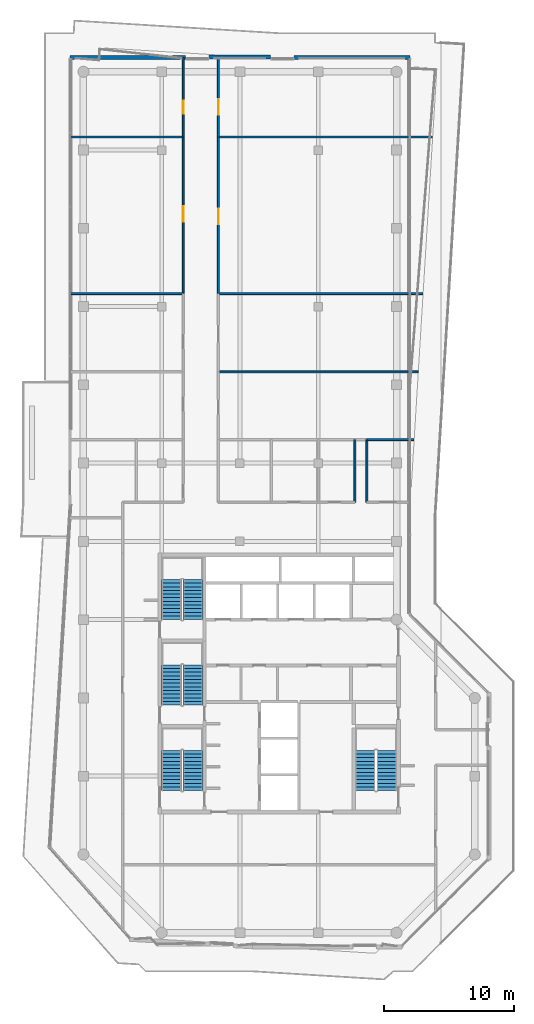
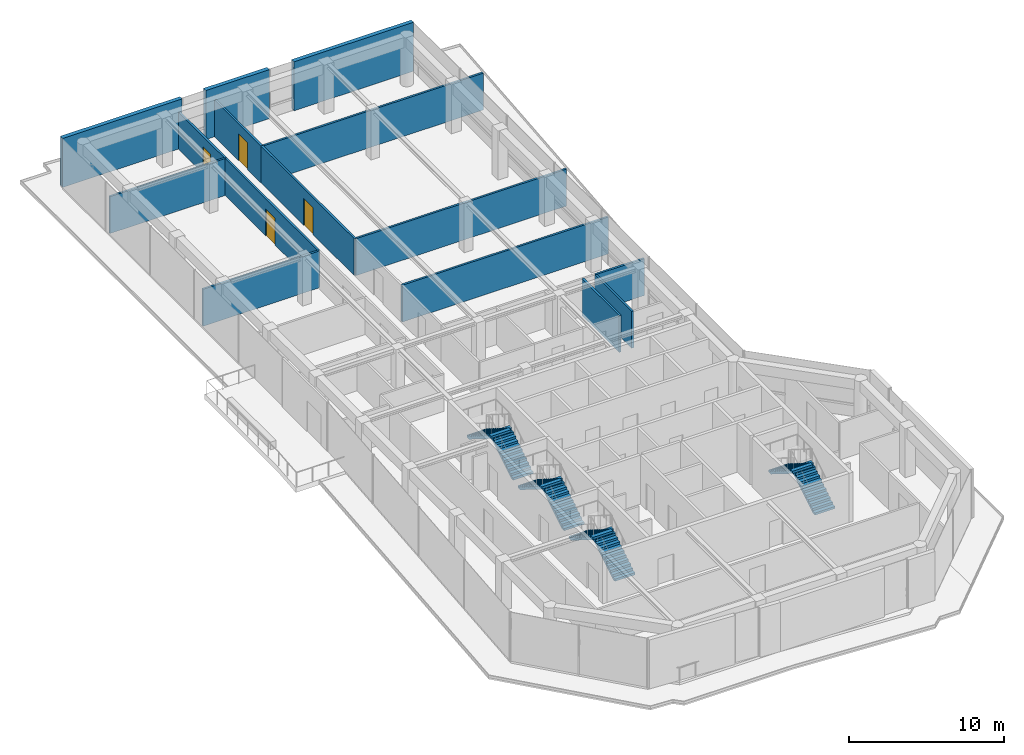
# One storey, part 16 of 18: 15 walls, 8 stair flights, 4 doors, 4 openings, 4 elements without a shape of their own.
"""IFC4 building model written with IfcOpenShell, lengths in metres."""

from ifc_helpers import new_model, si_unit, direction, frame, frame_2d, origin, place, context, subcontext, project, spatial, polyline, rectangle, outline, extrude, material, layer, layer_set, type_object, element, fill, aggregate, save


model = new_model("IFC4")

# Units and contexts
model_context = context("Model", 3, precision=1e-05, world=origin(), true_north=direction((0.0, 1.0)))
body_context = subcontext(model_context, "Body", "Model", "MODEL_VIEW")
ifc_project = project(units=[si_unit("LENGTHUNIT", "METRE"), si_unit("AREAUNIT", "SQUARE_METRE"), si_unit("VOLUMEUNIT", "CUBIC_METRE"), si_unit("PLANEANGLEUNIT", "RADIAN"), si_unit("MASSUNIT", "GRAM", prefix="KILO")], contexts=[model_context])

# Site, building, storey
site_placement = place(None, origin())
site = spatial("IfcSite", under=ifc_project, at=site_placement, CompositionType="ELEMENT")
building_placement = place(site_placement, origin())
building = spatial("IfcBuilding", under=site, at=building_placement, Name="Welwitschia Terrace Campus", CompositionType="ELEMENT")
storey_placement = place(building_placement, frame((0.0, 0.0, 272.60009765625)))
storey = spatial("IfcBuildingStorey", under=building, at=storey_placement, Name="L60", CompositionType="ELEMENT", Elevation=272.60009765625)

# Walls
ifc_material_1 = material(Name="Gypsum board on steel studs", Category="steel")
ifc_layer_1 = layer(ifc_material_1, 0.14990234375)
ifc_layer_set_1 = layer_set([ifc_layer_1], Name="Gypsum board on steel studs")
wall_type_1 = type_object("IfcWallType", Name="Corridor partition 150 EI 30", PredefinedType="PARTITIONING", material=ifc_layer_set_1)
for number, where, z_axis, x_axis, name in (
    (1, (-0.97998046875, 45.0, 0.0), (0.0, 0.0, 1.0), (1.0, 0.0, 0.0), "Partition"),
    (2, (-0.97998046875, 57.0, 0.0), (0.0, 0.0, 1.0), (1.0, 0.0, 0.0), "Partition"),
):
    element("IfcWall", number, at=place(storey_placement, frame(where, z_axis=z_axis, x_axis=x_axis)), inside=storey, type_object=wall_type_1, Name=name, PredefinedType="PARTITIONING", context=body_context, shape_type="SweptSolid", body=[
        extrude(rectangle(XDim=8.6298828125, YDim=0.14990234375, at=frame_2d((4.31494140625, 0.0))), origin(), (0.0, 0.0, 1.0), 2.89990234375),
    ])

# Wall, opening, door
wall_1_placement = place(storey_placement, frame((7.64990234375, 57.0, 0.0), z_axis=(0.0, 0.0, 1.0), x_axis=(0.0, -1.0, 0.0)))
wall_1 = element("IfcWall", 3, at=wall_1_placement, inside=storey, type_object=wall_type_1, Name="Partition", PredefinedType="PARTITIONING", context=body_context, shape_type="SweptSolid", body=[
    extrude(rectangle(XDim=12.0, YDim=0.14990234375, at=frame_2d((6.0, 0.0))), origin(), (0.0, 0.0, 1.0), 2.89990234375),
])
opening_1_placement = place(wall_1_placement, frame((5.300048828125, 0.0, 0.0)))
opening_1 = element("IfcOpeningElement", 4, at=opening_1_placement, cuts=wall_1, Name="Opening DI12", PredefinedType="OPENING", context=body_context, shape_type="SweptSolid", body=[
    extrude(rectangle(XDim=1.199951171875, YDim=2.10009765625, at=frame_2d((0.60009765625, 1.050048828125))), frame((0.0, 0.0849609375, 0.0), z_axis=(0.0, -1.0, 0.0), x_axis=(1.0, 0.0, 0.0)), (0.0, 0.0, 1.0), 0.169921875),
])
ifc_material_2 = material(Name="Timber veneered door", Category="wood")
door_type_1 = type_object("IfcDoorType", Name="Interior door DI12", OperationType="NOTDEFINED", PredefinedType="DOOR", material=ifc_material_2)
door_1_placement = place(opening_1_placement, origin())
door_1 = element("IfcDoor", 5, at=door_1_placement, inside=storey, type_object=door_type_1, Name="Door L60 1076", OperationType="SINGLE_SWING_LEFT", OverallHeight=2.10009765625, OverallWidth=1.199951171875, PredefinedType="DOOR", context=body_context, shape_type="SweptSolid", body=[
    extrude(rectangle(XDim=1.199951171875, YDim=2.10009765625, at=frame_2d((0.60009765625, 1.050048828125))), frame((0.0, 0.02490234375, 0.0), z_axis=(0.0, -1.0, 0.0), x_axis=(1.0, 0.0, 0.0)), (0.0, 0.0, 1.0), 0.050048828125),
])
fill(opening_1, door_1)

wall_2_placement = place(storey_placement, frame((7.64990234375, 57.0, 0.0), z_axis=(0.0, 0.0, 1.0), x_axis=(0.0, 1.0, 0.0)))
wall_2 = element("IfcWall", 6, at=wall_2_placement, inside=storey, type_object=wall_type_1, Name="Partition", PredefinedType="PARTITIONING", context=body_context, shape_type="SweptSolid", body=[
    extrude(rectangle(XDim=6.090087890625, YDim=0.14990234375, at=frame_2d((3.044921875, 0.0))), origin(), (0.0, 0.0, 1.0), 2.89990234375),
])
opening_2_placement = place(wall_2_placement, frame((1.780029296875, 0.0, 0.0)))
opening_2 = element("IfcOpeningElement", 7, at=opening_2_placement, cuts=wall_2, Name="Opening DI10", PredefinedType="OPENING", context=body_context, shape_type="SweptSolid", body=[
    extrude(rectangle(XDim=1.0, YDim=2.10009765625, at=frame_2d((0.5, 1.050048828125))), frame((0.0, 0.0849609375, 0.0), z_axis=(0.0, -1.0, 0.0), x_axis=(1.0, 0.0, 0.0)), (0.0, 0.0, 1.0), 0.169921875),
])
ifc_material_3 = material(Name="Timber veneered door", Category="wood")
door_type_2 = type_object("IfcDoorType", Name="Interior door DI10", OperationType="NOTDEFINED", PredefinedType="DOOR", material=ifc_material_3)
door_2_placement = place(opening_2_placement, origin())
door_2 = element("IfcDoor", 8, at=door_2_placement, inside=storey, type_object=door_type_2, Name="Door L60 1077", OperationType="SINGLE_SWING_RIGHT", OverallHeight=2.10009765625, OverallWidth=1.0, PredefinedType="DOOR", context=body_context, shape_type="SweptSolid", body=[
    extrude(rectangle(XDim=1.0, YDim=2.10009765625, at=frame_2d((0.5, 1.050048828125))), frame((0.0, 0.02490234375, 0.0), z_axis=(0.0, -1.0, 0.0), x_axis=(1.0, 0.0, 0.0)), (0.0, 0.0, 1.0), 0.050048828125),
])
fill(opening_2, door_2)

# Wall
wall_3_placement = place(storey_placement, frame((10.35009765625, 39.0, 0.0), z_axis=(0.0, 0.0, 1.0), x_axis=(1.0, 0.0, 0.0)))
element("IfcWall", 9, at=wall_3_placement, inside=storey, type_object=wall_type_1, Name="Partition", PredefinedType="PARTITIONING", context=body_context, shape_type="SweptSolid", body=[
    extrude(rectangle(XDim=15.2998046875, YDim=0.14990234375, at=frame_2d((7.64990234375, 0.0))), origin(), (0.0, 0.0, 1.0), 2.89990234375),
])

# Wall, opening, door
wall_4_placement = place(storey_placement, frame((10.35009765625, 45.0, 0.0), z_axis=(0.0, 0.0, 1.0), x_axis=(0.0, 1.0, 0.0)))
wall_4 = element("IfcWall", 10, at=wall_4_placement, inside=storey, type_object=wall_type_1, Name="Partition", PredefinedType="PARTITIONING", context=body_context, shape_type="SweptSolid", body=[
    extrude(rectangle(XDim=12.0, YDim=0.14990234375, at=frame_2d((6.0, 0.0))), origin(), (0.0, 0.0, 1.0), 2.89990234375),
])
opening_3_placement = place(wall_4_placement, frame((5.300048828125, 0.0, 0.0)))
opening_3 = element("IfcOpeningElement", 11, at=opening_3_placement, cuts=wall_4, Name="Opening DI12", PredefinedType="OPENING", context=body_context, shape_type="SweptSolid", body=[
    extrude(rectangle(XDim=1.199951171875, YDim=2.10009765625, at=frame_2d((0.60009765625, 1.050048828125))), frame((0.0, 0.0849609375, 0.0), z_axis=(0.0, -1.0, 0.0), x_axis=(1.0, 0.0, 0.0)), (0.0, 0.0, 1.0), 0.169921875),
])
door_3_placement = place(opening_3_placement, origin())
door_3 = element("IfcDoor", 12, at=door_3_placement, inside=storey, type_object=door_type_1, Name="Door L60 1080", OperationType="SINGLE_SWING_LEFT", OverallHeight=2.10009765625, OverallWidth=1.199951171875, PredefinedType="DOOR", context=body_context, shape_type="SweptSolid", body=[
    extrude(rectangle(XDim=1.199951171875, YDim=2.10009765625, at=frame_2d((0.60009765625, 1.050048828125))), frame((0.0, 0.02490234375, 0.0), z_axis=(0.0, -1.0, 0.0), x_axis=(1.0, 0.0, 0.0)), (0.0, 0.0, 1.0), 0.050048828125),
])
fill(opening_3, door_3)

# Wall
wall_5_placement = place(storey_placement, frame((10.35009765625, 45.0, 0.0), z_axis=(0.0, 0.0, 1.0), x_axis=(1.0, 0.0, 0.0)))
element("IfcWall", 13, at=wall_5_placement, inside=storey, type_object=wall_type_1, Name="Partition", PredefinedType="PARTITIONING", context=body_context, shape_type="SweptSolid", body=[
    extrude(rectangle(XDim=15.669921875, YDim=0.14990234375, at=frame_2d((7.8349609375, 0.0))), origin(), (0.0, 0.0, 1.0), 2.89990234375),
])

# Wall, opening, door
wall_6_placement = place(storey_placement, frame((10.35009765625, 57.0, 0.0), z_axis=(0.0, 0.0, 1.0), x_axis=(0.0, 1.0, 0.0)))
wall_6 = element("IfcWall", 14, at=wall_6_placement, inside=storey, type_object=wall_type_1, Name="Partition", PredefinedType="PARTITIONING", context=body_context, shape_type="SweptSolid", body=[
    extrude(rectangle(XDim=6.090087890625, YDim=0.14990234375, at=frame_2d((3.044921875, 0.0))), origin(), (0.0, 0.0, 1.0), 2.89990234375),
])
opening_4_placement = place(wall_6_placement, frame((1.699951171875, 0.0, 0.0)))
opening_4 = element("IfcOpeningElement", 15, at=opening_4_placement, cuts=wall_6, Name="Opening DI12", PredefinedType="OPENING", context=body_context, shape_type="SweptSolid", body=[
    extrude(rectangle(XDim=1.199951171875, YDim=2.10009765625, at=frame_2d((0.60009765625, 1.050048828125))), frame((0.0, 0.0849609375, 0.0), z_axis=(0.0, -1.0, 0.0), x_axis=(1.0, 0.0, 0.0)), (0.0, 0.0, 1.0), 0.169921875),
])
door_4_placement = place(opening_4_placement, origin())
door_4 = element("IfcDoor", 16, at=door_4_placement, inside=storey, type_object=door_type_1, Name="Door L60 1081", OperationType="SINGLE_SWING_RIGHT", OverallHeight=2.10009765625, OverallWidth=1.199951171875, PredefinedType="DOOR", context=body_context, shape_type="SweptSolid", body=[
    extrude(rectangle(XDim=1.199951171875, YDim=2.10009765625, at=frame_2d((0.60009765625, 1.050048828125))), frame((0.0, 0.02490234375, 0.0), z_axis=(0.0, -1.0, 0.0), x_axis=(1.0, 0.0, 0.0)), (0.0, 0.0, 1.0), 0.050048828125),
])
fill(opening_4, door_4)

# Walls
wall_7_placement = place(storey_placement, frame((10.35009765625, 57.0, 0.0), z_axis=(0.0, 0.0, 1.0), x_axis=(1.0, 0.0, 0.0)))
element("IfcWall", 17, at=wall_7_placement, inside=storey, type_object=wall_type_1, Name="Partition", PredefinedType="PARTITIONING", context=body_context, shape_type="SweptSolid", body=[
    extrude(rectangle(XDim=16.39990234375, YDim=0.14990234375, at=frame_2d((8.199951171875, 0.0))), origin(), (0.0, 0.0, 1.0), 2.89990234375),
])
for number, where, z_axis, x_axis, name in (
    (18, (20.800048828125, 29.0, 0.0), (0.0, 0.0, 1.0), (0.0, 1.0, 0.0), "Partition"),
    (19, (21.72998046875, 29.0, 0.0), (0.0, 0.0, 1.0), (0.0, 1.0, 0.0), "Partition"),
):
    element("IfcWall", number, at=place(storey_placement, frame(where, z_axis=z_axis, x_axis=x_axis)), inside=storey, type_object=wall_type_1, Name=name, PredefinedType="PARTITIONING", context=body_context, shape_type="SweptSolid", body=[
        extrude(rectangle(XDim=4.800048828125, YDim=0.14990234375, at=frame_2d((2.39990234375, 0.0))), origin(), (0.0, 0.0, 1.0), 2.89990234375),
    ])
wall_8_placement = place(storey_placement, frame((21.72998046875, 33.800048828125, 0.0), z_axis=(0.0, 0.0, 1.0), x_axis=(1.0, 0.0, 0.0)))
element("IfcWall", 20, at=wall_8_placement, inside=storey, type_object=wall_type_1, Name="Partition", PredefinedType="PARTITIONING", context=body_context, shape_type="SweptSolid", body=[
    extrude(rectangle(XDim=3.60009765625, YDim=0.14990234375, at=frame_2d((1.800048828125, 0.0))), origin(), (0.0, 0.0, 1.0), 2.89990234375),
])
ifc_material_4 = material(Name="Concrete C40/50", Category="concrete")
ifc_layer_2 = layer(ifc_material_4, 0.300048828125)
ifc_layer_set_2 = layer_set([ifc_layer_2], Name="Concrete C40/50")
wall_type_2 = type_object("IfcWallType", Name="Mass wall 300", PredefinedType="SOLIDWALL", material=ifc_layer_set_2)
wall_9_placement = place(storey_placement, frame((25.030029296875, 63.078125, 0.0), z_axis=(0.0, 0.0, 1.0), x_axis=(-1.0, 0.0, 0.0)))
element("IfcWall", 21, at=wall_9_placement, inside=storey, type_object=wall_type_2, Name="Mass wall L60.8.0", PredefinedType="SOLIDWALL", context=body_context, shape_type="SweptSolid", body=[
    extrude(rectangle(XDim=8.87255859375, YDim=0.300048828125, at=frame_2d((4.436279296875, 0.0))), origin(), (0.0, 0.0, 1.0), 3.849853515625),
])
wall_10_placement = place(storey_placement, frame((14.357421875, 63.12158203125, 0.0), z_axis=(0.0, 0.0, 1.0), x_axis=(-1.0, 0.0, 0.0)))
element("IfcWall", 22, at=wall_10_placement, inside=storey, type_object=wall_type_2, Name="Mass wall L60.8.1", PredefinedType="SOLIDWALL", context=body_context, shape_type="SweptSolid", body=[
    extrude(rectangle(XDim=4.71484375, YDim=0.300048828125, at=frame_2d((2.357421875, 0.0))), origin(), (0.0, 0.0, 1.0), 3.849853515625),
])
wall_11_placement = place(storey_placement, frame((7.842529296875, 63.078125, 0.0), z_axis=(0.0, 0.0, 1.0), x_axis=(-1.0, 0.0, 0.0)))
element("IfcWall", 23, at=wall_11_placement, inside=storey, type_object=wall_type_2, Name="Mass wall L60.8.2", PredefinedType="SOLIDWALL", context=body_context, shape_type="SweptSolid", body=[
    extrude(rectangle(XDim=8.87255859375, YDim=0.300048828125, at=frame_2d((4.436279296875, 0.0))), origin(), (0.0, 0.0, 1.0), 3.849853515625),
])

# Stair, stair flights
ifc_material_5 = material(Name="Concrete C40/50", Category="concrete")
stair_type = type_object("IfcStairType", Name="Stair 24R 175 W1500", PredefinedType="HALF_TURN_STAIR", material=ifc_material_5)
stair_1_placement = place(storey_placement, origin())
stair_1 = element("IfcStair", 24, at=stair_1_placement, inside=storey, type_object=stair_type, Name="L60 Exit stair S1", PredefinedType="HALF_TURN_STAIR")
ifc_material_6 = material(Name="Concrete C40/50", Category="concrete")
stair_flight_type = type_object("IfcStairFlightType", Name="Stair flight 24R 175 W1500", PredefinedType="STRAIGHT", material=ifc_material_6)
stair_flight_1_placement = place(storey_placement, frame((8.39990234375, 6.89990234375, 0.0), z_axis=(0.0, 0.0, 1.0), x_axis=(0.0, 1.0, 0.0)))
stair_flight_1 = element("IfcStairFlight", 25, at=stair_flight_1_placement, type_object=stair_flight_type, Name="S1 flight 1", NumberOfRisers=12, NumberOfTreads=11, PredefinedType="STRAIGHT", RiserHeight=0.175, TreadLength=0.28, context=body_context, shape_type="SweptSolid", body=[
    extrude(outline(polyline([(0.0, 0.0), (0.0, 0.175048828125), (0.280029296875, 0.175048828125), (0.280029296875, 0.35009765625), (0.56005859375, 0.35009765625), (0.56005859375, 0.52490234375), (0.840087890625, 0.52490234375), (0.840087890625, 0.699951171875), (1.1201171875, 0.699951171875), (1.1201171875, 0.875), (1.39990234375, 0.875), (1.39990234375, 1.050048828125), (1.679931640625, 1.050048828125), (1.679931640625, 1.22509765625), (1.9599609375, 1.22509765625), (1.9599609375, 1.39990234375), (2.239990234375, 1.39990234375), (2.239990234375, 1.574951171875), (2.52001953125, 1.574951171875), (2.52001953125, 1.75), (2.800048828125, 1.75), (2.800048828125, 1.925048828125), (3.080078125, 1.925048828125), (3.080078125, 2.10009765625), (3.080078125, 1.748291015625), (0.28271484375, 0.0), (0.0, 0.0)])), frame((0.0, 0.75, 0.0), z_axis=(0.0, -1.0, 0.0), x_axis=(1.0, 0.0, 0.0)), (0.0, 0.0, 1.0), 1.5),
])
stair_flight_2_placement = place(storey_placement, frame((6.75, 9.97998046875, 2.099853515625), z_axis=(0.0, 0.0, 1.0), x_axis=(0.0, -1.0, 0.0)))
stair_flight_2 = element("IfcStairFlight", 26, at=stair_flight_2_placement, type_object=stair_flight_type, Name="S1 flight 2", NumberOfRisers=12, NumberOfTreads=11, PredefinedType="STRAIGHT", RiserHeight=0.175, TreadLength=0.28, context=body_context, shape_type="SweptSolid", body=[
    extrude(outline(polyline([(0.0, 0.0), (0.0, 0.175048828125), (0.280029296875, 0.175048828125), (0.280029296875, 0.35009765625), (0.56005859375, 0.35009765625), (0.56005859375, 0.52490234375), (0.840087890625, 0.52490234375), (0.840087890625, 0.699951171875), (1.1201171875, 0.699951171875), (1.1201171875, 0.875), (1.39990234375, 0.875), (1.39990234375, 1.050048828125), (1.679931640625, 1.050048828125), (1.679931640625, 1.22509765625), (1.9599609375, 1.22509765625), (1.9599609375, 1.39990234375), (2.239990234375, 1.39990234375), (2.239990234375, 1.574951171875), (2.52001953125, 1.574951171875), (2.52001953125, 1.75), (2.800048828125, 1.75), (2.800048828125, 1.925048828125), (3.080078125, 1.925048828125), (3.080078125, 2.10009765625), (3.080078125, 1.748291015625), (0.28271484375, 0.0), (0.0, 0.0)])), frame((0.0, 0.75, 0.0), z_axis=(0.0, -1.0, 0.0), x_axis=(1.0, 0.0, 0.0)), (0.0, 0.0, 1.0), 1.5),
])
aggregate(stair_1, [stair_flight_1, stair_flight_2])

stair_2_placement = place(storey_placement, origin())
stair_2 = element("IfcStair", 27, at=stair_2_placement, inside=storey, type_object=stair_type, Name="L60 Exit stair S3", PredefinedType="HALF_TURN_STAIR")
stair_flight_3_placement = place(storey_placement, frame((8.39990234375, 13.449951171875, 0.0), z_axis=(0.0, 0.0, 1.0), x_axis=(0.0, 1.0, 0.0)))
stair_flight_3 = element("IfcStairFlight", 28, at=stair_flight_3_placement, type_object=stair_flight_type, Name="S3 flight 1", NumberOfRisers=12, NumberOfTreads=11, PredefinedType="STRAIGHT", RiserHeight=0.175, TreadLength=0.28, context=body_context, shape_type="SweptSolid", body=[
    extrude(outline(polyline([(0.0, 0.0), (0.0, 0.175048828125), (0.280029296875, 0.175048828125), (0.280029296875, 0.35009765625), (0.56005859375, 0.35009765625), (0.56005859375, 0.52490234375), (0.840087890625, 0.52490234375), (0.840087890625, 0.699951171875), (1.1201171875, 0.699951171875), (1.1201171875, 0.875), (1.39990234375, 0.875), (1.39990234375, 1.050048828125), (1.679931640625, 1.050048828125), (1.679931640625, 1.22509765625), (1.9599609375, 1.22509765625), (1.9599609375, 1.39990234375), (2.239990234375, 1.39990234375), (2.239990234375, 1.574951171875), (2.52001953125, 1.574951171875), (2.52001953125, 1.75), (2.800048828125, 1.75), (2.800048828125, 1.925048828125), (3.080078125, 1.925048828125), (3.080078125, 2.10009765625), (3.080078125, 1.748291015625), (0.28271484375, 0.0), (0.0, 0.0)])), frame((0.0, 0.75, 0.0), z_axis=(0.0, -1.0, 0.0), x_axis=(1.0, 0.0, 0.0)), (0.0, 0.0, 1.0), 1.5),
])
stair_flight_4_placement = place(storey_placement, frame((6.75, 16.530029296875, 2.099853515625), z_axis=(0.0, 0.0, 1.0), x_axis=(0.0, -1.0, 0.0)))
stair_flight_4 = element("IfcStairFlight", 29, at=stair_flight_4_placement, type_object=stair_flight_type, Name="S3 flight 2", NumberOfRisers=12, NumberOfTreads=11, PredefinedType="STRAIGHT", RiserHeight=0.175, TreadLength=0.28, context=body_context, shape_type="SweptSolid", body=[
    extrude(outline(polyline([(0.0, 0.0), (0.0, 0.175048828125), (0.280029296875, 0.175048828125), (0.280029296875, 0.35009765625), (0.56005859375, 0.35009765625), (0.56005859375, 0.52490234375), (0.840087890625, 0.52490234375), (0.840087890625, 0.699951171875), (1.1201171875, 0.699951171875), (1.1201171875, 0.875), (1.39990234375, 0.875), (1.39990234375, 1.050048828125), (1.679931640625, 1.050048828125), (1.679931640625, 1.22509765625), (1.9599609375, 1.22509765625), (1.9599609375, 1.39990234375), (2.239990234375, 1.39990234375), (2.239990234375, 1.574951171875), (2.52001953125, 1.574951171875), (2.52001953125, 1.75), (2.800048828125, 1.75), (2.800048828125, 1.925048828125), (3.080078125, 1.925048828125), (3.080078125, 2.10009765625), (3.080078125, 1.748291015625), (0.28271484375, 0.0), (0.0, 0.0)])), frame((0.0, 0.75, 0.0), z_axis=(0.0, -1.0, 0.0), x_axis=(1.0, 0.0, 0.0)), (0.0, 0.0, 1.0), 1.5),
])
aggregate(stair_2, [stair_flight_3, stair_flight_4])

stair_3_placement = place(storey_placement, origin())
stair_3 = element("IfcStair", 30, at=stair_3_placement, inside=storey, type_object=stair_type, Name="L60 Exit stair S4", PredefinedType="HALF_TURN_STAIR")
stair_flight_5_placement = place(storey_placement, frame((8.39990234375, 20.0, 0.0), z_axis=(0.0, 0.0, 1.0), x_axis=(0.0, 1.0, 0.0)))
stair_flight_5 = element("IfcStairFlight", 31, at=stair_flight_5_placement, type_object=stair_flight_type, Name="S4 flight 1", NumberOfRisers=12, NumberOfTreads=11, PredefinedType="STRAIGHT", RiserHeight=0.175, TreadLength=0.28, context=body_context, shape_type="SweptSolid", body=[
    extrude(outline(polyline([(0.0, 0.0), (0.0, 0.175048828125), (0.280029296875, 0.175048828125), (0.280029296875, 0.35009765625), (0.56005859375, 0.35009765625), (0.56005859375, 0.52490234375), (0.840087890625, 0.52490234375), (0.840087890625, 0.699951171875), (1.1201171875, 0.699951171875), (1.1201171875, 0.875), (1.39990234375, 0.875), (1.39990234375, 1.050048828125), (1.679931640625, 1.050048828125), (1.679931640625, 1.22509765625), (1.9599609375, 1.22509765625), (1.9599609375, 1.39990234375), (2.239990234375, 1.39990234375), (2.239990234375, 1.574951171875), (2.52001953125, 1.574951171875), (2.52001953125, 1.75), (2.800048828125, 1.75), (2.800048828125, 1.925048828125), (3.080078125, 1.925048828125), (3.080078125, 2.10009765625), (3.080078125, 1.748291015625), (0.28271484375, 0.0), (0.0, 0.0)])), frame((0.0, 0.75, 0.0), z_axis=(0.0, -1.0, 0.0), x_axis=(1.0, 0.0, 0.0)), (0.0, 0.0, 1.0), 1.5),
])
stair_flight_6_placement = place(storey_placement, frame((6.75, 23.080078125, 2.099853515625), z_axis=(0.0, 0.0, 1.0), x_axis=(0.0, -1.0, 0.0)))
stair_flight_6 = element("IfcStairFlight", 32, at=stair_flight_6_placement, type_object=stair_flight_type, Name="S4 flight 2", NumberOfRisers=12, NumberOfTreads=11, PredefinedType="STRAIGHT", RiserHeight=0.175, TreadLength=0.28, context=body_context, shape_type="SweptSolid", body=[
    extrude(outline(polyline([(0.0, 0.0), (0.0, 0.175048828125), (0.280029296875, 0.175048828125), (0.280029296875, 0.35009765625), (0.56005859375, 0.35009765625), (0.56005859375, 0.52490234375), (0.840087890625, 0.52490234375), (0.840087890625, 0.699951171875), (1.1201171875, 0.699951171875), (1.1201171875, 0.875), (1.39990234375, 0.875), (1.39990234375, 1.050048828125), (1.679931640625, 1.050048828125), (1.679931640625, 1.22509765625), (1.9599609375, 1.22509765625), (1.9599609375, 1.39990234375), (2.239990234375, 1.39990234375), (2.239990234375, 1.574951171875), (2.52001953125, 1.574951171875), (2.52001953125, 1.75), (2.800048828125, 1.75), (2.800048828125, 1.925048828125), (3.080078125, 1.925048828125), (3.080078125, 2.10009765625), (3.080078125, 1.748291015625), (0.28271484375, 0.0), (0.0, 0.0)])), frame((0.0, 0.75, 0.0), z_axis=(0.0, -1.0, 0.0), x_axis=(1.0, 0.0, 0.0)), (0.0, 0.0, 1.0), 1.5),
])
aggregate(stair_3, [stair_flight_5, stair_flight_6])

stair_4_placement = place(storey_placement, origin())
stair_4 = element("IfcStair", 33, at=stair_4_placement, inside=storey, type_object=stair_type, Name="L60 Exit stair S2", PredefinedType="HALF_TURN_STAIR")
stair_flight_7_placement = place(storey_placement, frame((23.25, 6.89990234375, 0.0), z_axis=(0.0, 0.0, 1.0), x_axis=(0.0, 1.0, 0.0)))
stair_flight_7 = element("IfcStairFlight", 34, at=stair_flight_7_placement, type_object=stair_flight_type, Name="S2 flight 1", NumberOfRisers=12, NumberOfTreads=11, PredefinedType="STRAIGHT", RiserHeight=0.175, TreadLength=0.28, context=body_context, shape_type="SweptSolid", body=[
    extrude(outline(polyline([(0.0, 0.0), (0.0, 0.175048828125), (0.280029296875, 0.175048828125), (0.280029296875, 0.35009765625), (0.56005859375, 0.35009765625), (0.56005859375, 0.52490234375), (0.840087890625, 0.52490234375), (0.840087890625, 0.699951171875), (1.1201171875, 0.699951171875), (1.1201171875, 0.875), (1.39990234375, 0.875), (1.39990234375, 1.050048828125), (1.679931640625, 1.050048828125), (1.679931640625, 1.22509765625), (1.9599609375, 1.22509765625), (1.9599609375, 1.39990234375), (2.239990234375, 1.39990234375), (2.239990234375, 1.574951171875), (2.52001953125, 1.574951171875), (2.52001953125, 1.75), (2.800048828125, 1.75), (2.800048828125, 1.925048828125), (3.080078125, 1.925048828125), (3.080078125, 2.10009765625), (3.080078125, 1.748291015625), (0.28271484375, 0.0), (0.0, 0.0)])), frame((0.0, 0.75, 0.0), z_axis=(0.0, -1.0, 0.0), x_axis=(1.0, 0.0, 0.0)), (0.0, 0.0, 1.0), 1.5),
])
stair_flight_8_placement = place(storey_placement, frame((21.60009765625, 9.97998046875, 2.099853515625), z_axis=(0.0, 0.0, 1.0), x_axis=(0.0, -1.0, 0.0)))
stair_flight_8 = element("IfcStairFlight", 35, at=stair_flight_8_placement, type_object=stair_flight_type, Name="S2 flight 2", NumberOfRisers=12, NumberOfTreads=11, PredefinedType="STRAIGHT", RiserHeight=0.175, TreadLength=0.28, context=body_context, shape_type="SweptSolid", body=[
    extrude(outline(polyline([(0.0, 0.0), (0.0, 0.175048828125), (0.280029296875, 0.175048828125), (0.280029296875, 0.35009765625), (0.56005859375, 0.35009765625), (0.56005859375, 0.52490234375), (0.840087890625, 0.52490234375), (0.840087890625, 0.699951171875), (1.1201171875, 0.699951171875), (1.1201171875, 0.875), (1.39990234375, 0.875), (1.39990234375, 1.050048828125), (1.679931640625, 1.050048828125), (1.679931640625, 1.22509765625), (1.9599609375, 1.22509765625), (1.9599609375, 1.39990234375), (2.239990234375, 1.39990234375), (2.239990234375, 1.574951171875), (2.52001953125, 1.574951171875), (2.52001953125, 1.75), (2.800048828125, 1.75), (2.800048828125, 1.925048828125), (3.080078125, 1.925048828125), (3.080078125, 2.10009765625), (3.080078125, 1.748291015625), (0.28271484375, 0.0), (0.0, 0.0)])), frame((0.0, 0.75, 0.0), z_axis=(0.0, -1.0, 0.0), x_axis=(1.0, 0.0, 0.0)), (0.0, 0.0, 1.0), 1.5),
])
aggregate(stair_4, [stair_flight_7, stair_flight_8])

save(model, "model.ifc")
